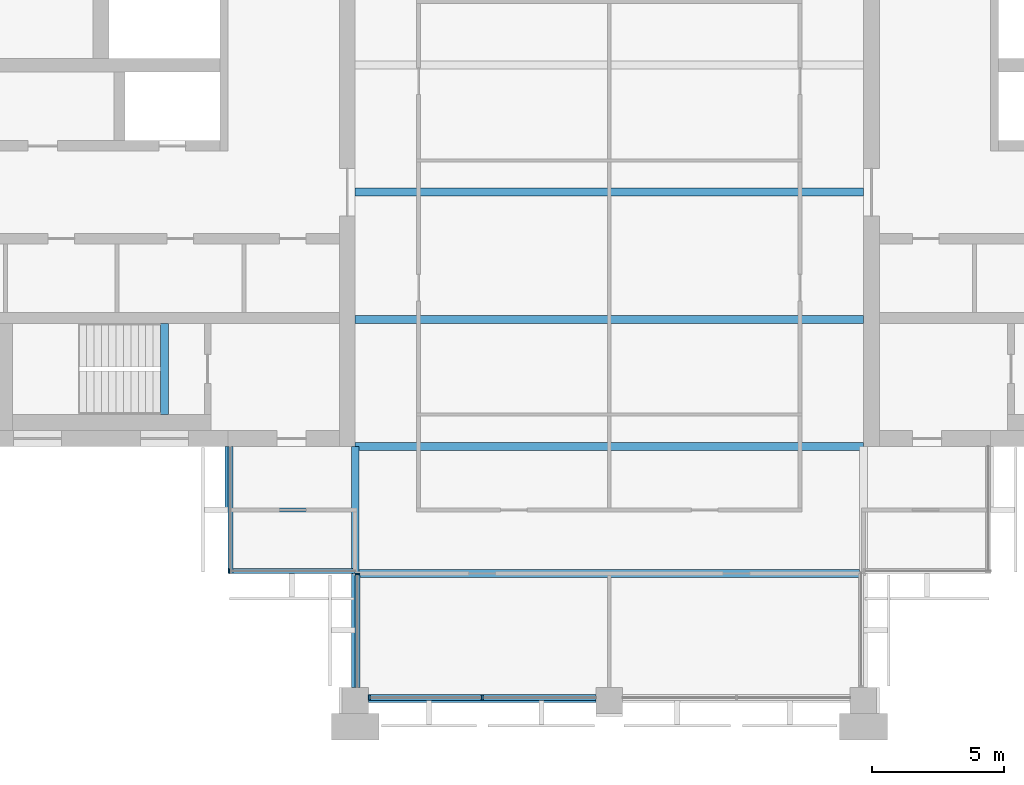
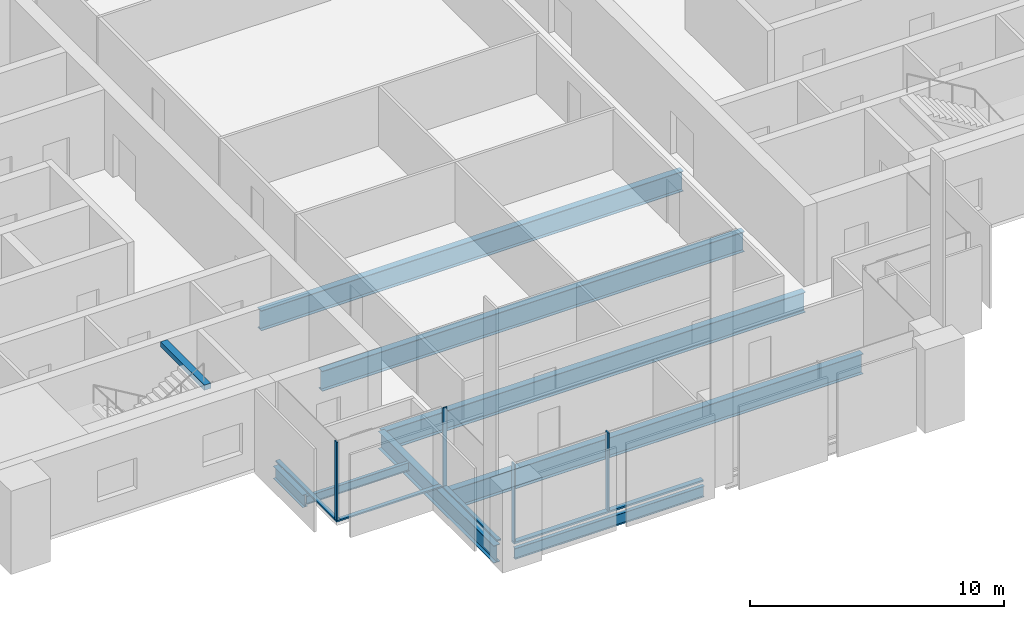
# One storey, part 2 of 12: 9 beams, 8 members, 4 elements without a shape of their own.
"""IFC4 building model written with IfcOpenShell, lengths in metres."""

import ifcopenshell
import ifcopenshell.guid

model = None  # the IFC model being written
_history = None  # IfcOwnerHistory: only IFC2X3 demands one
_inside = {}  # id of a spatial element -> (the spatial element, [elements in it])
_under = {}  # id of a project, library or spatial element -> (it, [spatial elements below it])
_declared = {}  # id of a project -> (the project, [libraries it declares])
_typed = {}  # id of a type object -> (the type object, [elements of that type])
_made_of = {}  # id of a material, layer set ... -> (it, [elements and type objects made of it])


def new_model(schema):
    """Start an empty IFC model of exactly this schema.

    Asked for "IFC4X3", IfcOpenShell would pick the latest addendum, in which some entities
    have other attributes; the version numbers below select the first issue.
    IFC2X3 requires an IfcOwnerHistory on every rooted entity: one is made here for all.
    """
    global model, _history
    if schema == "IFC4X3":
        model = ifcopenshell.file(schema_version=(4, 3, 0, 0))
    else:
        model = ifcopenshell.file(schema=schema)
    _inside.clear()
    _under.clear()
    _declared.clear()
    _typed.clear()
    _made_of.clear()
    _history = None
    if model.schema == "IFC2X3":
        org = make("IfcOrganization", Name="unknown")
        user = make(
            "IfcPersonAndOrganization",
            ThePerson=make("IfcPerson", FamilyName="unknown"),
            TheOrganization=org,
        )
        app = make(
            "IfcApplication",
            ApplicationDeveloper=org,
            Version="unknown",
            ApplicationFullName="unknown",
            ApplicationIdentifier="unknown",
        )
        _history = make(
            "IfcOwnerHistory",
            OwningUser=user,
            OwningApplication=app,
            ChangeAction="ADDED",
            CreationDate=0,
        )
    return model


def make(cls, **values):
    """One entity of the class cls with the attributes given. An attribute that is None is left unset."""
    return model.create_entity(
        cls, **{name: value for name, value in values.items() if value is not None}
    )


def rooted(cls, **values):
    """An entity with a GlobalId (a new one), such as an element, a storey or a relation."""
    return make(cls, GlobalId=ifcopenshell.guid.new(), OwnerHistory=_history, **values)


def si_unit(unit_type, name, prefix=None):
    """IfcSIUnit, for example si_unit("LENGTHUNIT", "METRE", prefix="MILLI")."""
    return make("IfcSIUnit", UnitType=unit_type, Prefix=prefix, Name=name)


def assignment(units):
    """IfcUnitAssignment: the units of a project."""
    return None if units is None else make("IfcUnitAssignment", Units=units)


def point(xyz):
    """IfcCartesianPoint."""
    return None if xyz is None else make("IfcCartesianPoint", Coordinates=xyz)


def direction(xyz):
    """IfcDirection."""
    return None if xyz is None else make("IfcDirection", DirectionRatios=xyz)


def frame(location, z_axis=None, x_axis=None):
    """IfcAxis2Placement3D, a coordinate frame: its origin and axes. An axis left out is left unset."""
    return make(
        "IfcAxis2Placement3D",
        Location=point(location),
        Axis=direction(z_axis),
        RefDirection=direction(x_axis),
    )


def frame_2d(location, x_axis=None):
    """IfcAxis2Placement2D, a coordinate frame in the plane: its origin and x axis."""
    return make(
        "IfcAxis2Placement2D", Location=point(location), RefDirection=direction(x_axis)
    )


def origin():
    """The frame at (0, 0, 0) with its axes left unset."""
    return frame((0.0, 0.0, 0.0))


def origin_2d():
    """The frame at (0, 0) in the plane with its x axis left unset."""
    return frame_2d((0.0, 0.0))


def place(relative_to, where):
    """IfcLocalPlacement: puts the frame where relative to a parent placement (None: the world)."""
    return make(
        "IfcLocalPlacement", PlacementRelTo=relative_to, RelativePlacement=where
    )


def context(
    kind, dimensions, precision=None, world=None, true_north=None, identifier=None
):
    """IfcGeometricRepresentationContext, for example the 3D "Model" context."""
    return make(
        "IfcGeometricRepresentationContext",
        ContextIdentifier=identifier,
        ContextType=kind,
        CoordinateSpaceDimension=dimensions,
        Precision=precision,
        WorldCoordinateSystem=world,
        TrueNorth=true_north,
    )


def subcontext(parent, identifier, kind, view, scale=None):
    """IfcGeometricRepresentationSubContext, for example "Body" below "Model"."""
    return make(
        "IfcGeometricRepresentationSubContext",
        ContextIdentifier=identifier,
        ContextType=kind,
        ParentContext=parent,
        TargetScale=scale,
        TargetView=view,
    )


def project(units=None, contexts=None):
    """IfcProject with its units and contexts."""
    return rooted(
        "IfcProject",
        Name="project",
        RepresentationContexts=contexts,
        UnitsInContext=assignment(units),
    )


def spatial(cls, under=None, at=None, **own):
    """A site, building, storey or space (cls), placed at a placement, below another one or the project."""
    s = rooted(cls, ObjectPlacement=at, **own)
    if under is not None:
        _under.setdefault(under.id(), (under, []))[1].append(s)
    return s


def profile(cls, at=None, kind="AREA", **sizes):
    """A parametric profile (cls). Its sizes go by their IFC names, for example OverallWidth=200.0."""
    return make(cls, ProfileType=kind, Position=at, **sizes)


def rectangle(**sizes):
    """IfcRectangleProfileDef."""
    return profile("IfcRectangleProfileDef", **sizes)


def i_section(**sizes):
    """IfcIShapeProfileDef."""
    return profile("IfcIShapeProfileDef", **sizes)


def extrude(swept, where, along, depth):
    """IfcExtrudedAreaSolid: the profile swept, set in the frame where, extruded along a direction by depth."""
    return make(
        "IfcExtrudedAreaSolid",
        SweptArea=swept,
        Position=where,
        ExtrudedDirection=direction(along),
        Depth=depth,
    )


def shape(context_of_items, identifier, shape_type, items):
    """IfcShapeRepresentation: the items that make up one representation, for example the "Body"."""
    return make(
        "IfcShapeRepresentation",
        ContextOfItems=context_of_items,
        RepresentationIdentifier=identifier,
        RepresentationType=shape_type,
        Items=items,
    )


def material(Name=None, Category=None):
    """IfcMaterial."""
    return make("IfcMaterial", Name=Name, Category=Category)


def material_profile(
    of_material, cross_section, Name=None, Category=None, Priority=None
):
    """IfcMaterialProfile: a cross section and its material."""
    return make(
        "IfcMaterialProfile",
        Name=Name,
        Material=of_material,
        Profile=cross_section,
        Priority=Priority,
        Category=Category,
    )


def profile_set(profiles, Name=None, composite=None):
    """IfcMaterialProfileSet."""
    return make(
        "IfcMaterialProfileSet",
        Name=Name,
        MaterialProfiles=profiles,
        CompositeProfile=composite,
    )


def made_of(thing, what):
    """Note that an element or type object is made of a material, layer set ...; save() writes the relation."""
    if what is not None:
        _made_of.setdefault(what.id(), (what, []))[1].append(thing)
    return thing


def type_object(cls, material=None, **own):
    """A type object (cls), such as IfcWallType, which elements share."""
    return made_of(rooted(cls, **own), material)


def element(
    cls,
    number,
    at=None,
    inside=None,
    cuts=None,
    type_object=None,
    material=None,
    context=None,
    identifier="Body",
    shape_type=None,
    held_by="IfcProductDefinitionShape",
    body=None,
    shapes=None,
    **own,
):
    """One element of the class cls, such as IfcWall. Its Tag is "e" and its number.

    at: its placement. inside: the storey or other place that contains it. cuts: it is an
    opening in that element (IfcRelVoidsElement). A single representation is given by context,
    identifier, shape_type and body (its items); several are given by shapes. held_by: the class
    of the entity that holds the representations. save() writes the other relations.
    """
    e = rooted(cls, Tag="e%d" % number, ObjectPlacement=at, **own)
    if body is not None:
        shapes = [shape(context, identifier, shape_type, body)]
    if shapes is not None:
        e.Representation = make(held_by, Representations=shapes)
    if inside is not None:
        _inside.setdefault(inside.id(), (inside, []))[1].append(e)
    if cuts is not None:
        rooted(
            "IfcRelVoidsElement", RelatingBuildingElement=cuts, RelatedOpeningElement=e
        )
    if type_object is not None:
        _typed.setdefault(type_object.id(), (type_object, []))[1].append(e)
    return made_of(e, material)


def aggregate(whole, parts):
    """IfcRelAggregates: a whole, such as a stair, and the parts it consists of."""
    return rooted("IfcRelAggregates", RelatingObject=whole, RelatedObjects=parts)


def save(model, path):
    """Write the relations noted so far, then the file.

    IfcRelAggregates (storeys below a building ...), IfcRelContainedInSpatialStructure (elements
    in a storey), IfcRelDefinesByType, IfcRelAssociatesMaterial and IfcRelDeclares: one each for
    every whole, place, type object, material and project.
    """
    for whole, parts in _under.values():
        aggregate(whole, parts)
    for where, things in _inside.values():
        rooted(
            "IfcRelContainedInSpatialStructure",
            RelatedElements=things,
            RelatingStructure=where,
        )
    for kind, things in _typed.values():
        rooted("IfcRelDefinesByType", RelatedObjects=things, RelatingType=kind)
    for what, things in _made_of.values():
        rooted("IfcRelAssociatesMaterial", RelatedObjects=things, RelatingMaterial=what)
    for by, libraries in _declared.values():
        rooted("IfcRelDeclares", RelatingContext=by, RelatedDefinitions=libraries)
    model.write(path)


model = new_model("IFC4")

# Units and contexts
model_context = context("Model", 3, precision=1e-05, world=origin(), true_north=direction((0.0, 1.0)))
body_context = subcontext(model_context, "Body", "Model", "MODEL_VIEW")
ifc_project = project(units=[si_unit("LENGTHUNIT", "METRE"), si_unit("AREAUNIT", "SQUARE_METRE"), si_unit("VOLUMEUNIT", "CUBIC_METRE"), si_unit("PLANEANGLEUNIT", "RADIAN"), si_unit("MASSUNIT", "GRAM", prefix="KILO")], contexts=[model_context])

# Site, building, storey
site_placement = place(None, origin())
site = spatial("IfcSite", under=ifc_project, at=site_placement, CompositionType="ELEMENT")
building_placement = place(site_placement, origin())
building = spatial("IfcBuilding", under=site, at=building_placement, Name="Baori Bourse Tower", CompositionType="ELEMENT")
storey_placement = place(building_placement, frame((0.0, 0.0, 306.300048828125)))
storey = spatial("IfcBuildingStorey", under=building, at=storey_placement, Name="L67", CompositionType="ELEMENT", Elevation=306.300048828125)

# Curtain wall, member
ifc_material_1 = material(Name="Pale anodised aluminium", Category="aluminium")
curtain_wall_type_1 = type_object("IfcCurtainWallType", Name="CW2 Curtain wall", PredefinedType="NOTDEFINED", material=ifc_material_1)
curtain_wall_1_placement = place(storey_placement, origin())
curtain_wall_1 = element("IfcCurtainWall", 1, at=curtain_wall_1_placement, inside=storey, type_object=curtain_wall_type_1, Name="Curtain wall CW2 L67 9", PredefinedType="NOTDEFINED")
ifc_material_2 = material(Name="Pale anodised aluminium", Category="aluminium")
ifc_material_profile_1 = material_profile(ifc_material_2, rectangle(XDim=0.179931640625, YDim=0.054931640625, at=origin_2d()), Name="Mullion 55x180")
ifc_profile_set_1 = profile_set([ifc_material_profile_1], Name="Pale anodised aluminium")
member_type_1 = type_object("IfcMemberType", Name="CW2 Curtain wall mullion", PredefinedType="MULLION", material=ifc_profile_set_1)
member_1_placement = place(storey_placement, frame((14.427490234375, 4.889892578125, 0.070068359375), z_axis=(0.0, 0.0, 1.0), x_axis=(0.0, 1.0, 0.0)))
member_1 = element("IfcMember", 2, at=member_1_placement, type_object=member_type_1, Name="Curtain wall CW2 mullion", PredefinedType="MULLION", context=body_context, shape_type="SweptSolid", body=[
    extrude(rectangle(XDim=0.179931640625, YDim=0.054931640625, at=origin_2d()), origin(), (0.0, 0.0, 1.0), 3.769775390625),
])

curtain_wall_2_placement = place(storey_placement, origin())
curtain_wall_2 = element("IfcCurtainWall", 3, at=curtain_wall_2_placement, inside=storey, type_object=curtain_wall_type_1, Name="Curtain wall CW2 L67 10", PredefinedType="NOTDEFINED")
member_2_placement = place(storey_placement, frame((19.2900390625, 4.7724609375, 0.070068359375), z_axis=(0.0, 0.0, 1.0), x_axis=(1.0, 0.0, 0.0)))
member_2 = element("IfcMember", 4, at=member_2_placement, type_object=member_type_1, Name="Curtain wall CW2 mullion", PredefinedType="MULLION", context=body_context, shape_type="SweptSolid", body=[
    extrude(rectangle(XDim=0.179931640625, YDim=0.054931640625, at=origin_2d()), origin(), (0.0, 0.0, 1.0), 3.769775390625),
])

curtain_wall_3_placement = place(storey_placement, origin())
curtain_wall_3 = element("IfcCurtainWall", 5, at=curtain_wall_3_placement, inside=storey, type_object=curtain_wall_type_1, Name="Curtain wall CW2 L67 8", PredefinedType="NOTDEFINED")
ifc_material_3 = material(Name="Pale anodised aluminium", Category="aluminium")
ifc_material_profile_2 = material_profile(ifc_material_3, rectangle(XDim=0.179931640625, YDim=0.070068359375, at=origin_2d()), Name="Transom 70x180")
ifc_profile_set_2 = profile_set([ifc_material_profile_2], Name="Pale anodised aluminium")
member_type_2 = type_object("IfcMemberType", Name="CW2 Curtain wall transom", PredefinedType="USERDEFINED", material=ifc_profile_set_2)
member_3_placement = place(storey_placement, frame((14.489990234375, 9.60009765625, 0.034912109375), z_axis=(0.0, -1.0, 0.0), x_axis=(1.0, 0.0, 0.0)))
member_3 = element("IfcMember", 6, at=member_3_placement, type_object=member_type_2, Name="Curtain wall CW2 sill rail", ObjectType="TRANSOM", PredefinedType="USERDEFINED", context=body_context, shape_type="SweptSolid", body=[
    extrude(rectangle(XDim=0.179931640625, YDim=0.070068359375, at=origin_2d()), origin(), (0.0, 0.0, 1.0), 4.800048828125),
])
aggregate(curtain_wall_3, [member_3])

# Member
member_4_placement = place(storey_placement, frame((14.39990234375, 4.889892578125, 0.034912109375), z_axis=(1.0, 0.0, 0.0), x_axis=(0.0, 1.0, 0.0)))
member_4 = element("IfcMember", 7, at=member_4_placement, type_object=member_type_2, Name="Curtain wall CW2 sill rail", ObjectType="TRANSOM", PredefinedType="USERDEFINED", context=body_context, shape_type="SweptSolid", body=[
    extrude(rectangle(XDim=0.179931640625, YDim=0.070068359375, at=origin_2d()), origin(), (0.0, 0.0, 1.0), 4.800048828125),
])

aggregate(curtain_wall_1, [member_4, member_1])

member_5_placement = place(storey_placement, frame((19.2900390625, 4.800048828125, 0.034912109375), z_axis=(0.0, -1.0, 0.0), x_axis=(1.0, 0.0, 0.0)))
member_5 = element("IfcMember", 8, at=member_5_placement, type_object=member_type_2, Name="Curtain wall CW2 sill rail", ObjectType="TRANSOM", PredefinedType="USERDEFINED", context=body_context, shape_type="SweptSolid", body=[
    extrude(rectangle(XDim=0.179931640625, YDim=0.070068359375, at=origin_2d()), origin(), (0.0, 0.0, 1.0), 4.300048828125),
])

aggregate(curtain_wall_2, [member_5, member_2])

# Curtain wall, members
ifc_material_4 = material(Name="Pale anodised aluminium", Category="aluminium")
curtain_wall_type_2 = type_object("IfcCurtainWallType", Name="CW5 Curtain wall", PredefinedType="NOTDEFINED", material=ifc_material_4)
curtain_wall_4_placement = place(storey_placement, origin())
curtain_wall_4 = element("IfcCurtainWall", 9, at=curtain_wall_4_placement, inside=storey, type_object=curtain_wall_type_2, Name="Curtain wall CW5 L67 11", PredefinedType="NOTDEFINED")
ifc_material_5 = material(Name="Pale anodised aluminium", Category="aluminium")
ifc_material_profile_3 = material_profile(ifc_material_5, rectangle(XDim=0.219970703125, YDim=0.06494140625, at=origin_2d()), Name="Mullion 65x220")
ifc_profile_set_3 = profile_set([ifc_material_profile_3], Name="Pale anodised aluminium")
member_type_3 = type_object("IfcMemberType", Name="CW5 Curtain wall mullion", PredefinedType="MULLION", material=ifc_profile_set_3)
member_6_placement = place(storey_placement, frame((19.732421875, 0.110107421875, 0.0849609375), z_axis=(0.0, 0.0, 1.0), x_axis=(0.0, 1.0, 0.0)))
member_6 = element("IfcMember", 10, at=member_6_placement, type_object=member_type_3, Name="Curtain wall CW5 mullion", PredefinedType="MULLION", context=body_context, shape_type="SweptSolid", body=[
    extrude(rectangle(XDim=0.219970703125, YDim=0.06494140625, at=origin_2d()), origin(), (0.0, 0.0, 1.0), 3.7548828125),
])
member_7_placement = place(storey_placement, frame((24.0, 0.110107421875, 0.0849609375), z_axis=(0.0, 0.0, 1.0), x_axis=(0.0, 1.0, 0.0)))
member_7 = element("IfcMember", 11, at=member_7_placement, type_object=member_type_3, Name="Curtain wall CW5 mullion", PredefinedType="MULLION", context=body_context, shape_type="SweptSolid", body=[
    extrude(rectangle(XDim=0.219970703125, YDim=0.06494140625, at=origin_2d()), origin(), (0.0, 0.0, 1.0), 3.7548828125),
])
ifc_material_6 = material(Name="Pale anodised aluminium", Category="aluminium")
ifc_material_profile_4 = material_profile(ifc_material_6, rectangle(XDim=0.219970703125, YDim=0.0849609375, at=origin_2d()), Name="Transom 85x220")
ifc_profile_set_4 = profile_set([ifc_material_profile_4], Name="Pale anodised aluminium")
member_type_4 = type_object("IfcMemberType", Name="CW5 Curtain wall transom", PredefinedType="USERDEFINED", material=ifc_profile_set_4)
member_8_placement = place(storey_placement, frame((19.699951171875, 0.110107421875, 0.04248046875), z_axis=(1.0, 0.0, 0.0), x_axis=(0.0, 1.0, 0.0)))
member_8 = element("IfcMember", 12, at=member_8_placement, type_object=member_type_4, Name="Curtain wall CW5 sill rail", ObjectType="TRANSOM", PredefinedType="USERDEFINED", context=body_context, shape_type="SweptSolid", body=[
    extrude(rectangle(XDim=0.219970703125, YDim=0.0849609375, at=origin_2d()), origin(), (0.0, 0.0, 1.0), 8.60009765625),
])
aggregate(curtain_wall_4, [member_8, member_6, member_7])

# Beams
ifc_material_7 = material(Name="Steel A992 Gr 50", Category="steel")
ifc_material_profile_5 = material_profile(ifc_material_7, i_section(OverallWidth=0.227783203125, OverallDepth=0.60205078125, WebThickness=0.010498046875, FlangeThickness=0.014892578125, at=origin_2d()), Name="W24x68")
ifc_profile_set_5 = profile_set([ifc_material_profile_5], Name="Steel A992 Gr 50")
beam_type_1 = type_object("IfcBeamType", Name="Core bracket W24x68", PredefinedType="BEAM", material=ifc_profile_set_5)
beam_1_placement = place(storey_placement, frame((14.39990234375, 7.270263671875, -0.4609375), z_axis=(0.0, 1.0, 0.0), x_axis=(-1.0, 0.0, 0.0)))
element("IfcBeam", 13, at=beam_1_placement, inside=storey, type_object=beam_type_1, Name="Core bracket L67", PredefinedType="BEAM", context=body_context, shape_type="SweptSolid", body=[
    extrude(i_section(OverallWidth=0.227783203125, OverallDepth=0.60205078125, WebThickness=0.010498046875, FlangeThickness=0.014892578125, at=origin_2d()), origin(), (0.0, 0.0, 1.0), 2.329833984375),
])
ifc_material_8 = material(Name="Steel A992 Gr 50", Category="steel")
ifc_material_profile_6 = material_profile(ifc_material_8, i_section(OverallWidth=0.1650390625, OverallDepth=0.52587890625, WebThickness=0.0087890625, FlangeThickness=0.011474609375, at=origin_2d()), Name="W21x44")
ifc_profile_set_6 = profile_set([ifc_material_profile_6], Name="Steel A992 Gr 50")
beam_type_2 = type_object("IfcBeamType", Name="Edge beam W21x44", PredefinedType="BEAM", material=ifc_profile_set_6)
beam_2_placement = place(storey_placement, frame((19.699951171875, 0.0, -0.4228515625), z_axis=(1.0, 0.0, 0.0), x_axis=(0.0, 1.0, 0.0)))
element("IfcBeam", 14, at=beam_2_placement, inside=storey, type_object=beam_type_2, Name="Edge beam L67", PredefinedType="BEAM", context=body_context, shape_type="SweptSolid", body=[
    extrude(i_section(OverallWidth=0.1650390625, OverallDepth=0.52587890625, WebThickness=0.0087890625, FlangeThickness=0.011474609375, at=origin_2d()), origin(), (0.0, 0.0, 1.0), 8.60009765625),
])
ifc_material_9 = material(Name="Steel A992 Gr 50", Category="steel")
ifc_material_profile_7 = material_profile(ifc_material_9, i_section(OverallWidth=0.2998046875, OverallDepth=0.97021484375, WebThickness=0.01611328125, FlangeThickness=0.02099609375, at=origin_2d()), Name="W40x149")
ifc_profile_set_7 = profile_set([ifc_material_profile_7], Name="Steel A992 Gr 50")
beam_type_3 = type_object("IfcBeamType", Name="Floor beam W40x149", PredefinedType="BEAM", material=ifc_profile_set_7)
beam_3_placement = place(storey_placement, frame((19.345947265625, 4.800048828125, -0.645263671875), z_axis=(1.0, 0.0, 0.0), x_axis=(0.0, 1.0, 0.0)))
element("IfcBeam", 15, at=beam_3_placement, inside=storey, type_object=beam_type_3, Name="Floor beam L67", PredefinedType="BEAM", context=body_context, shape_type="SweptSolid", body=[
    extrude(i_section(OverallWidth=0.2998046875, OverallDepth=0.97021484375, WebThickness=0.01611328125, FlangeThickness=0.02099609375, at=origin_2d()), origin(), (0.0, 0.0, 1.0), 18.907958984375),
])
for number, where, z_axis, x_axis, name in (
    (16, (19.199951171875, 9.60009765625, -0.645263671875), (1.0, 0.0, 0.0), (0.0, 1.0, 0.0), "Floor beam L67"),
    (17, (19.199951171875, 14.39990234375, -0.645263671875), (1.0, 0.0, 0.0), (0.0, 1.0, 0.0), "Floor beam L67"),
    (18, (19.199951171875, 19.199951171875, -0.645263671875), (1.0, 0.0, 0.0), (0.0, 1.0, 0.0), "Floor beam L67"),
):
    element("IfcBeam", number, at=place(storey_placement, frame(where, z_axis=z_axis, x_axis=x_axis)), inside=storey, type_object=beam_type_3, Name=name, PredefinedType="BEAM", context=body_context, shape_type="SweptSolid", body=[
        extrude(i_section(OverallWidth=0.2998046875, OverallDepth=0.97021484375, WebThickness=0.01611328125, FlangeThickness=0.02099609375, at=origin_2d()), origin(), (0.0, 0.0, 1.0), 19.199951171875),
    ])
ifc_material_10 = material(Name="Steel A992 Gr 50", Category="steel")
ifc_material_profile_8 = material_profile(ifc_material_10, i_section(OverallWidth=0.2919921875, OverallDepth=0.835693359375, WebThickness=0.013916015625, FlangeThickness=0.018798828125, at=origin_2d()), Name="W33x118")
ifc_profile_set_8 = profile_set([ifc_material_profile_8], Name="Steel A992 Gr 50")
beam_type_4 = type_object("IfcBeamType", Name="Girder W33x118", PredefinedType="BEAM", material=ifc_profile_set_8)
beam_4_placement = place(storey_placement, frame((19.199951171875, 0.5, -0.577880859375), z_axis=(0.0, 1.0, 0.0), x_axis=(-1.0, 0.0, 0.0)))
element("IfcBeam", 19, at=beam_4_placement, inside=storey, type_object=beam_type_4, Name="Girder L67", PredefinedType="BEAM", context=body_context, shape_type="SweptSolid", body=[
    extrude(i_section(OverallWidth=0.2919921875, OverallDepth=0.835693359375, WebThickness=0.013916015625, FlangeThickness=0.018798828125, at=origin_2d()), origin(), (0.0, 0.0, 1.0), 9.10009765625),
])
ifc_material_11 = material(Name="Concrete f'c 50 MPa", Category="concrete")
ifc_material_profile_9 = material_profile(ifc_material_11, rectangle(XDim=0.300048828125, YDim=0.25, at=origin_2d()), Name="RC 300x250")
ifc_profile_set_9 = profile_set([ifc_material_profile_9], Name="Concrete f'c 50 MPa")
beam_type_5 = type_object("IfcBeamType", Name="Stair nib beam RC 300x250", PredefinedType="BEAM", material=ifc_profile_set_9)
beam_5_placement = place(storey_placement, frame((12.0, 10.800048828125, 3.71484375), z_axis=(0.0, 1.0, 0.0), x_axis=(-1.0, 0.0, 0.0)))
element("IfcBeam", 20, at=beam_5_placement, inside=storey, type_object=beam_type_5, Name="Stair WA nib beam L68", PredefinedType="BEAM", context=body_context, shape_type="SweptSolid", body=[
    extrude(rectangle(XDim=0.300048828125, YDim=0.25, at=origin_2d()), origin(), (0.0, 0.0, 1.0), 3.449951171875),
])
ifc_material_12 = material(Name="Steel A992 Gr 50", Category="steel")
ifc_material_profile_10 = material_profile(ifc_material_12, i_section(OverallWidth=0.140380859375, OverallDepth=0.40380859375, WebThickness=0.007080078125, FlangeThickness=0.01123046875, at=origin_2d()), Name="W16x31")
ifc_profile_set_10 = profile_set([ifc_material_profile_10], Name="Steel A992 Gr 50")
beam_type_6 = type_object("IfcBeamType", Name="Trimmer beam W16x31", PredefinedType="BEAM", material=ifc_profile_set_10)
beam_6_placement = place(storey_placement, frame((14.39990234375, 7.199951171875, -0.362060546875), z_axis=(1.0, 0.0, 0.0), x_axis=(0.0, 1.0, 0.0)))
element("IfcBeam", 21, at=beam_6_placement, inside=storey, type_object=beam_type_6, Name="Trimmer beam L67", PredefinedType="BEAM", context=body_context, shape_type="SweptSolid", body=[
    extrude(i_section(OverallWidth=0.140380859375, OverallDepth=0.40380859375, WebThickness=0.007080078125, FlangeThickness=0.01123046875, at=origin_2d()), origin(), (0.0, 0.0, 1.0), 4.654052734375),
])

save(model, "model.ifc")
